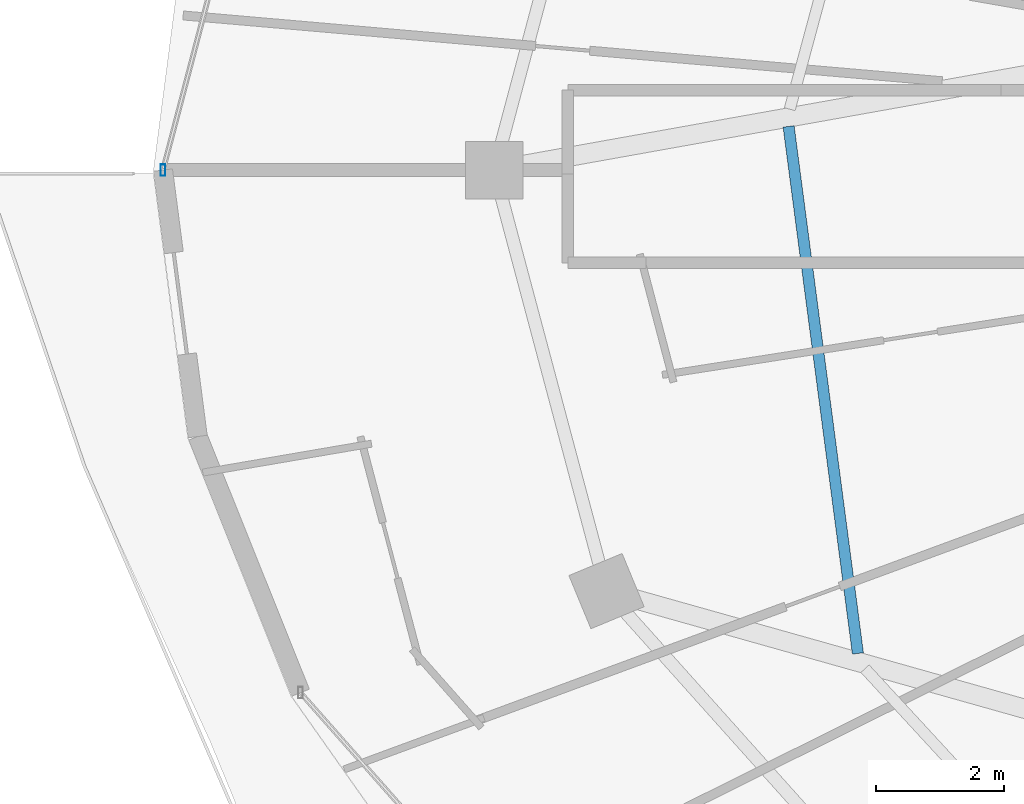
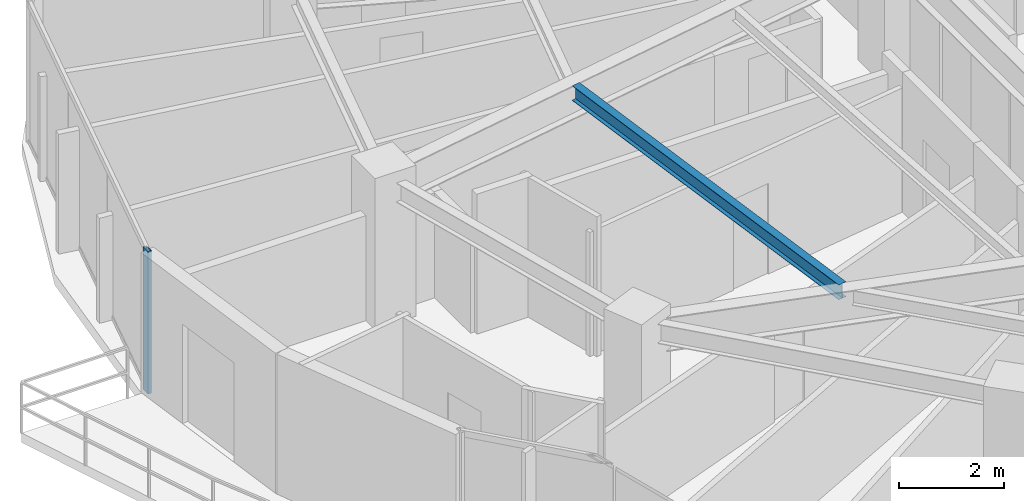
# One storey, part 7 of 33: 1 beam, 1 member, 1 element without a shape of its own.
"""IFC4 building model written with IfcOpenShell, lengths in metres."""

from ifc_helpers import new_model, si_unit, direction, frame, origin, origin_2d, place, context, subcontext, project, spatial, hollow_rectangle, i_section, extrude, material, material_profile, profile_set, type_object, element, aggregate, save


model = new_model("IFC4")

# Units and contexts
model_context = context("Model", 3, precision=1e-05, world=origin(), true_north=direction((0.0, 1.0)))
body_context = subcontext(model_context, "Body", "Model", "MODEL_VIEW")
ifc_project = project(units=[si_unit("LENGTHUNIT", "METRE"), si_unit("AREAUNIT", "SQUARE_METRE"), si_unit("VOLUMEUNIT", "CUBIC_METRE"), si_unit("PLANEANGLEUNIT", "RADIAN"), si_unit("MASSUNIT", "GRAM", prefix="KILO")], contexts=[model_context])

# Site, building, storey
site_placement = place(None, origin())
site = spatial("IfcSite", under=ifc_project, at=site_placement, CompositionType="ELEMENT")
building_placement = place(site_placement, origin())
building = spatial("IfcBuilding", under=site, at=building_placement, Name="Vorneva Point Tower", CompositionType="ELEMENT")
storey_placement = place(building_placement, frame((0.0, 0.0, 179.10009765625)))
storey = spatial("IfcBuildingStorey", under=building, at=storey_placement, Name="L48", CompositionType="ELEMENT", Elevation=179.10009765625)

# Beam
ifc_material_1 = material(Name="Steel S355", Category="steel")
ifc_material_profile_1 = material_profile(ifc_material_1, i_section(OverallWidth=0.174072265625, OverallDepth=0.345947265625, WebThickness=0.006103515625, FlangeThickness=0.009033203125, at=origin_2d()), Name="35B1")
ifc_profile_set_1 = profile_set([ifc_material_profile_1], Name="Steel S355")
beam_type = type_object("IfcBeamType", Name="BM-SEC-35B1", PredefinedType="BEAM", material=ifc_profile_set_1)
beam_placement = place(storey_placement, frame((19.551513671875, 26.68310546875, 3.06689453125), z_axis=(0.130373961087, -0.991464891093, 0.0), x_axis=(0.991464891093, 0.130373961087, 0.0)))
element("IfcBeam", 1, at=beam_placement, inside=storey, type_object=beam_type, Name="L48 Secondary Floor Beam 1.09", PredefinedType="BEAM", context=body_context, shape_type="SweptSolid", body=[
    extrude(i_section(OverallWidth=0.174072265625, OverallDepth=0.345947265625, WebThickness=0.006103515625, FlangeThickness=0.009033203125, at=origin_2d()), origin(), (0.0, 0.0, 1.0), 8.310791015625),
])

# Curtain wall, member
ifc_material_2 = material(Name="Pale anodised aluminium", Category="aluminium")
curtain_wall_type = type_object("IfcCurtainWallType", Name="CW-RES-SYS", PredefinedType="NOTDEFINED", material=ifc_material_2)
curtain_wall_placement = place(storey_placement, origin())
curtain_wall = element("IfcCurtainWall", 2, at=curtain_wall_placement, inside=storey, type_object=curtain_wall_type, Name="L48 Unitised Curtain Wall CW-L48-R02", PredefinedType="NOTDEFINED")
ifc_material_profile_2 = material_profile(ifc_material_2, hollow_rectangle(XDim=0.074951171875, YDim=0.179931640625, WallThickness=0.00390625, at=origin_2d()), Name="AL-MUL 180x75x4")
ifc_profile_set_2 = profile_set([ifc_material_profile_2], Name="Pale anodised aluminium")
member_type = type_object("IfcMemberType", Name="CW-MUL-180", PredefinedType="MULLION", material=ifc_profile_set_2)
member_placement = place(storey_placement, frame((9.77001953125, 26.0, -0.0400390625), z_axis=(0.0, 0.0, 1.0), x_axis=(1.0, 0.0, 0.0)))
member = element("IfcMember", 3, at=member_placement, type_object=member_type, Name="CW-L48-R02 Mullion 03", PredefinedType="MULLION", context=body_context, shape_type="SweptSolid", body=[
    extrude(hollow_rectangle(XDim=0.074951171875, YDim=0.179931640625, WallThickness=0.00390625, at=origin_2d()), origin(), (0.0, 0.0, 1.0), 3.31005859375),
])
aggregate(curtain_wall, [member])

save(model, "model.ifc")
